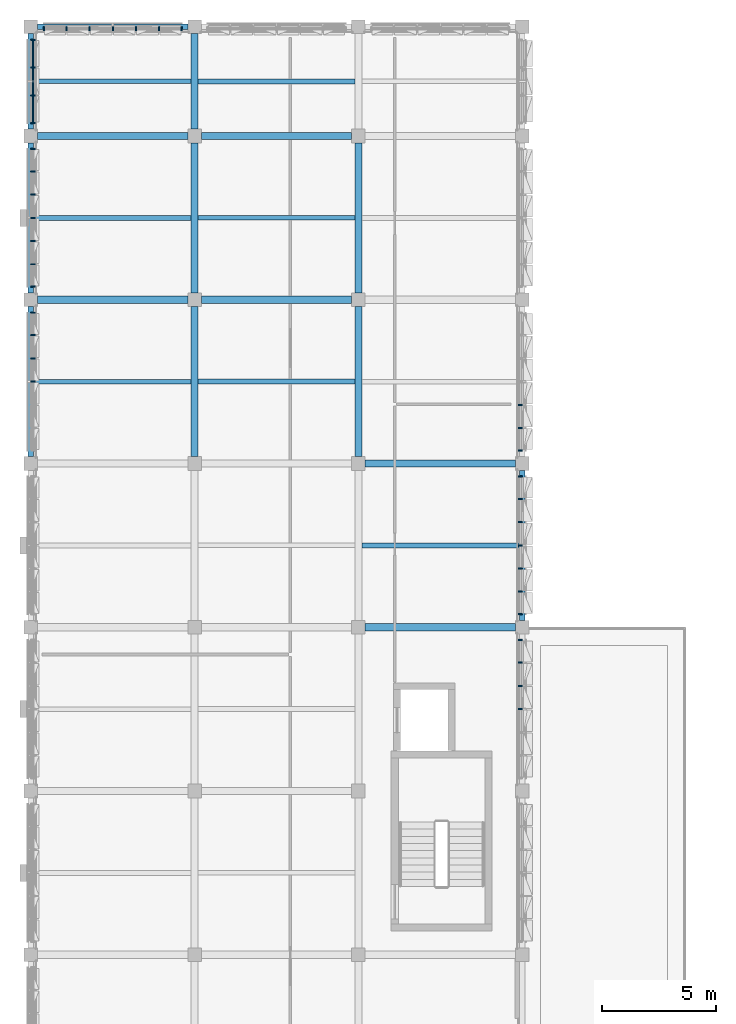
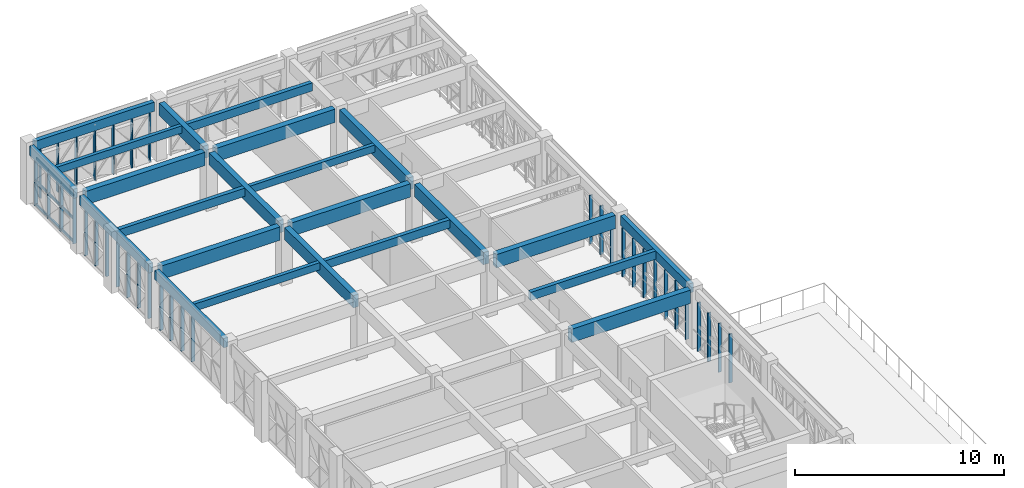
# One storey, part 16 of 99: 45 members, 23 beams, 7 elements without a shape of their own.
"""IFC4 building model written with IfcOpenShell, lengths in metres."""

from ifc_helpers import new_model, si_unit, direction, frame, origin, origin_2d, place, context, subcontext, project, spatial, rectangle, extrude, material, material_profile, profile_set, type_object, element, aggregate, save


model = new_model("IFC4")

# Units and contexts
model_context = context("Model", 3, precision=1e-05, world=origin(), true_north=direction((0.0, 1.0)))
body_context = subcontext(model_context, "Body", "Model", "MODEL_VIEW")
ifc_project = project(units=[si_unit("LENGTHUNIT", "METRE"), si_unit("AREAUNIT", "SQUARE_METRE"), si_unit("VOLUMEUNIT", "CUBIC_METRE"), si_unit("PLANEANGLEUNIT", "RADIAN"), si_unit("MASSUNIT", "GRAM", prefix="KILO")], contexts=[model_context])

# Site, building, storey
site_placement = place(None, origin())
site = spatial("IfcSite", under=ifc_project, at=site_placement, CompositionType="ELEMENT")
building_placement = place(site_placement, origin())
building = spatial("IfcBuilding", under=site, at=building_placement, Name="Alvorim Cloister Faculty of Sciences", CompositionType="ELEMENT")
storey_placement = place(building_placement, frame((0.0, 0.0, 12.14990234375)))
storey = spatial("IfcBuildingStorey", under=building, at=storey_placement, Name="L03", CompositionType="ELEMENT", Elevation=12.14990234375)

# Beams
ifc_material_1 = material(Name="Glulam GL32h", Category="wood")
ifc_material_profile_1 = material_profile(ifc_material_1, rectangle(XDim=0.300048828125, YDim=0.719970703125, at=origin_2d()), Name="GL32-BM-300x720")
ifc_profile_set_1 = profile_set([ifc_material_profile_1], Name="Glulam GL32h")
beam_type_1 = type_object("IfcBeamType", Name="BM-GL-300x720", PredefinedType="BEAM", material=ifc_profile_set_1)
for number, where, z_axis, x_axis, name in (
    (1, (7.199951171875, 92.699951171875, 3.030029296875), (0.0, 1.0, 0.0), (-1.0, 0.0, 0.0), "L03 Primary Girder BM-1599"),
    (2, (7.199951171875, 99.89990234375, 3.030029296875), (0.0, 1.0, 0.0), (-1.0, 0.0, 0.0), "L03 Primary Girder BM-1600"),
):
    element("IfcBeam", number, at=place(storey_placement, frame(where, z_axis=z_axis, x_axis=x_axis)), inside=storey, type_object=beam_type_1, Name=name, PredefinedType="BEAM", context=body_context, shape_type="SweptSolid", body=[
        extrude(rectangle(XDim=0.300048828125, YDim=0.719970703125, at=origin_2d()), origin(), (0.0, 0.0, 1.0), 6.60009765625),
    ])
beam_1_placement = place(storey_placement, frame((7.199951171875, 107.10009765625, 3.030029296875), z_axis=(0.0, 1.0, 0.0), x_axis=(-1.0, 0.0, 0.0)))
element("IfcBeam", 3, at=beam_1_placement, inside=storey, type_object=beam_type_1, Name="L03 Primary Girder BM-1601", PredefinedType="BEAM", context=body_context, shape_type="SweptSolid", body=[
    extrude(rectangle(XDim=0.300048828125, YDim=0.719970703125, at=origin_2d()), origin(), (0.0, 0.0, 1.0), 4.199951171875),
])
for number, where, z_axis, x_axis, name in (
    (4, (14.39990234375, 92.699951171875, 3.030029296875), (0.0, 1.0, 0.0), (-1.0, 0.0, 0.0), "L03 Primary Girder BM-1615"),
    (5, (14.39990234375, 99.89990234375, 3.030029296875), (0.0, 1.0, 0.0), (-1.0, 0.0, 0.0), "L03 Primary Girder BM-1616"),
):
    element("IfcBeam", number, at=place(storey_placement, frame(where, z_axis=z_axis, x_axis=x_axis)), inside=storey, type_object=beam_type_1, Name=name, PredefinedType="BEAM", context=body_context, shape_type="SweptSolid", body=[
        extrude(rectangle(XDim=0.300048828125, YDim=0.719970703125, at=origin_2d()), origin(), (0.0, 0.0, 1.0), 6.60009765625),
    ])
ifc_material_profile_2 = material_profile(ifc_material_1, rectangle(XDim=0.320068359375, YDim=0.780029296875, at=origin_2d()), Name="GL32-BM-320x780")
ifc_profile_set_2 = profile_set([ifc_material_profile_2], Name="Glulam GL32h")
beam_type_2 = type_object("IfcBeamType", Name="BM-GL-320x780", PredefinedType="BEAM", material=ifc_profile_set_2)
for number, where, z_axis, x_axis, name in (
    (6, (14.699951171875, 85.199951171875, 3.0), (1.0, 0.0, 0.0), (0.0, 1.0, 0.0), "L03 Primary Beam BM-1563"),
    (7, (14.699951171875, 92.39990234375, 3.0), (1.0, 0.0, 0.0), (0.0, 1.0, 0.0), "L03 Primary Beam BM-1566"),
):
    element("IfcBeam", number, at=place(storey_placement, frame(where, z_axis=z_axis, x_axis=x_axis)), inside=storey, type_object=beam_type_2, Name=name, PredefinedType="BEAM", context=body_context, shape_type="SweptSolid", body=[
        extrude(rectangle(XDim=0.320068359375, YDim=0.780029296875, at=origin_2d()), origin(), (0.0, 0.0, 1.0), 6.60009765625),
    ])
beam_2_placement = place(storey_placement, frame((0.300048828125, 99.60009765625, 3.0), z_axis=(1.0, 0.0, 0.0), x_axis=(0.0, 1.0, 0.0)))
element("IfcBeam", 8, at=beam_2_placement, inside=storey, type_object=beam_type_2, Name="L03 Primary Beam BM-1567", PredefinedType="BEAM", context=body_context, shape_type="SweptSolid", body=[
    extrude(rectangle(XDim=0.320068359375, YDim=0.780029296875, at=origin_2d()), origin(), (0.0, 0.0, 1.0), 6.599853515625),
])
beam_3_placement = place(storey_placement, frame((7.5, 99.60009765625, 3.0), z_axis=(1.0, 0.0, 0.0), x_axis=(0.0, 1.0, 0.0)))
element("IfcBeam", 9, at=beam_3_placement, inside=storey, type_object=beam_type_2, Name="L03 Primary Beam BM-1568", PredefinedType="BEAM", context=body_context, shape_type="SweptSolid", body=[
    extrude(rectangle(XDim=0.320068359375, YDim=0.780029296875, at=origin_2d()), origin(), (0.0, 0.0, 1.0), 6.60009765625),
])
beam_4_placement = place(storey_placement, frame((0.300048828125, 106.800048828125, 3.0), z_axis=(1.0, 0.0, 0.0), x_axis=(0.0, 1.0, 0.0)))
element("IfcBeam", 10, at=beam_4_placement, inside=storey, type_object=beam_type_2, Name="L03 Primary Beam BM-1570", PredefinedType="BEAM", context=body_context, shape_type="SweptSolid", body=[
    extrude(rectangle(XDim=0.320068359375, YDim=0.780029296875, at=origin_2d()), origin(), (0.0, 0.0, 1.0), 6.599853515625),
])
beam_5_placement = place(storey_placement, frame((7.5, 106.800048828125, 3.0), z_axis=(1.0, 0.0, 0.0), x_axis=(0.0, 1.0, 0.0)))
element("IfcBeam", 11, at=beam_5_placement, inside=storey, type_object=beam_type_2, Name="L03 Primary Beam BM-1571", PredefinedType="BEAM", context=body_context, shape_type="SweptSolid", body=[
    extrude(rectangle(XDim=0.320068359375, YDim=0.780029296875, at=origin_2d()), origin(), (0.0, 0.0, 1.0), 6.60009765625),
])
ifc_material_2 = material(Name="Glulam GL28h", Category="wood")
ifc_material_profile_3 = material_profile(ifc_material_2, rectangle(XDim=0.199951171875, YDim=0.419921875, at=origin_2d()), Name="GL28-JST-200x420")
ifc_profile_set_3 = profile_set([ifc_material_profile_3], Name="Glulam GL28h")
beam_type_3 = type_object("IfcBeamType", Name="BM-JST-GL-200x420", PredefinedType="JOIST", material=ifc_profile_set_3)
for number, where, z_axis, x_axis, name in (
    (12, (0.1201171875, 96.0, 3.18017578125), (1.0, 0.0, 0.0), (0.0, 1.0, 0.0), "L03 Secondary Floor Joist BM-1673"),
    (13, (0.1201171875, 109.199951171875, 3.18017578125), (1.0, 0.0, 0.0), (0.0, 1.0, 0.0), "L03 Secondary Floor Joist BM-1675"),
):
    element("IfcBeam", number, at=place(storey_placement, frame(where, z_axis=z_axis, x_axis=x_axis)), inside=storey, type_object=beam_type_3, Name=name, PredefinedType="JOIST", context=body_context, shape_type="SweptSolid", body=[
        extrude(rectangle(XDim=0.199951171875, YDim=0.419921875, at=origin_2d()), origin(), (0.0, 0.0, 1.0), 6.929931640625),
    ])
beam_6_placement = place(storey_placement, frame((7.35009765625, 103.199951171875, 3.18017578125), z_axis=(1.0, 0.0, 0.0), x_axis=(0.0, 1.0, 0.0)))
element("IfcBeam", 14, at=beam_6_placement, inside=storey, type_object=beam_type_3, Name="L03 Secondary Floor Joist BM-1690", PredefinedType="JOIST", context=body_context, shape_type="SweptSolid", body=[
    extrude(rectangle(XDim=0.199951171875, YDim=0.419921875, at=origin_2d()), origin(), (0.0, 0.0, 1.0), 6.89990234375),
])
ifc_material_profile_4 = material_profile(ifc_material_2, rectangle(XDim=0.219970703125, YDim=0.47998046875, at=origin_2d()), Name="GL28-JST-220x480")
ifc_profile_set_4 = profile_set([ifc_material_profile_4], Name="Glulam GL28h")
beam_type_4 = type_object("IfcBeamType", Name="BM-JST-GL-220x480", PredefinedType="JOIST", material=ifc_profile_set_4)
beam_7_placement = place(storey_placement, frame((0.1201171875, 103.199951171875, 3.150146484375), z_axis=(1.0, 0.0, 0.0), x_axis=(0.0, 1.0, 0.0)))
element("IfcBeam", 15, at=beam_7_placement, inside=storey, type_object=beam_type_4, Name="L03 Secondary Floor Joist BM-1674", PredefinedType="JOIST", context=body_context, shape_type="SweptSolid", body=[
    extrude(rectangle(XDim=0.219970703125, YDim=0.47998046875, at=origin_2d()), origin(), (0.0, 0.0, 1.0), 6.929931640625),
])
for number, where, z_axis, x_axis, name in (
    (16, (7.35009765625, 96.0, 3.150146484375), (1.0, 0.0, 0.0), (0.0, 1.0, 0.0), "L03 Secondary Floor Joist BM-1689"),
    (17, (7.35009765625, 109.199951171875, 3.150146484375), (1.0, 0.0, 0.0), (0.0, 1.0, 0.0), "L03 Secondary Floor Joist BM-1691"),
):
    element("IfcBeam", number, at=place(storey_placement, frame(where, z_axis=z_axis, x_axis=x_axis)), inside=storey, type_object=beam_type_4, Name=name, PredefinedType="JOIST", context=body_context, shape_type="SweptSolid", body=[
        extrude(rectangle(XDim=0.219970703125, YDim=0.47998046875, at=origin_2d()), origin(), (0.0, 0.0, 1.0), 6.89990234375),
    ])
beam_8_placement = place(storey_placement, frame((14.550048828125, 88.800048828125, 3.150146484375), z_axis=(1.0, 0.0, 0.0), x_axis=(0.0, 1.0, 0.0)))
element("IfcBeam", 18, at=beam_8_placement, inside=storey, type_object=beam_type_4, Name="L03 Secondary Floor Joist BM-1696", PredefinedType="JOIST", context=body_context, shape_type="SweptSolid", body=[
    extrude(rectangle(XDim=0.219970703125, YDim=0.47998046875, at=origin_2d()), origin(), (0.0, 0.0, 1.0), 6.929931640625),
])
ifc_material_profile_5 = material_profile(ifc_material_2, rectangle(XDim=0.239990234375, YDim=0.5400390625, at=origin_2d()), Name="GL28-SPD-240x540")
ifc_profile_set_5 = profile_set([ifc_material_profile_5], Name="Glulam GL28h")
beam_type_5 = type_object("IfcBeamType", Name="BM-SPD-GL-240x540", PredefinedType="SPANDREL", material=ifc_profile_set_5)
beam_9_placement = place(storey_placement, frame((0.300048828125, 111.60009765625, 3.1201171875), z_axis=(1.0, 0.0, 0.0), x_axis=(0.0, 1.0, 0.0)))
element("IfcBeam", 19, at=beam_9_placement, inside=storey, type_object=beam_type_5, Name="L03 Primary Beam BM-1573", PredefinedType="SPANDREL", context=body_context, shape_type="SweptSolid", body=[
    extrude(rectangle(XDim=0.239990234375, YDim=0.5400390625, at=origin_2d()), origin(), (0.0, 0.0, 1.0), 6.599853515625),
])
for number, where, z_axis, x_axis, name in (
    (20, (0.0, 92.699951171875, 3.1201171875), (0.0, 1.0, 0.0), (-1.0, 0.0, 0.0), "L03 Primary Girder BM-1583"),
    (21, (0.0, 99.89990234375, 3.1201171875), (0.0, 1.0, 0.0), (-1.0, 0.0, 0.0), "L03 Primary Girder BM-1584"),
):
    element("IfcBeam", number, at=place(storey_placement, frame(where, z_axis=z_axis, x_axis=x_axis)), inside=storey, type_object=beam_type_5, Name=name, PredefinedType="SPANDREL", context=body_context, shape_type="SweptSolid", body=[
        extrude(rectangle(XDim=0.239990234375, YDim=0.5400390625, at=origin_2d()), origin(), (0.0, 0.0, 1.0), 6.60009765625),
    ])
beam_10_placement = place(storey_placement, frame((0.0, 107.10009765625, 3.1201171875), z_axis=(0.0, 1.0, 0.0), x_axis=(-1.0, 0.0, 0.0)))
element("IfcBeam", 22, at=beam_10_placement, inside=storey, type_object=beam_type_5, Name="L03 Primary Girder BM-1585", PredefinedType="SPANDREL", context=body_context, shape_type="SweptSolid", body=[
    extrude(rectangle(XDim=0.239990234375, YDim=0.5400390625, at=origin_2d()), origin(), (0.0, 0.0, 1.0), 4.199951171875),
])
beam_11_placement = place(storey_placement, frame((21.60009765625, 85.5, 3.1201171875), z_axis=(0.0, 1.0, 0.0), x_axis=(-1.0, 0.0, 0.0)))
element("IfcBeam", 23, at=beam_11_placement, inside=storey, type_object=beam_type_5, Name="L03 Primary Girder BM-1630", PredefinedType="SPANDREL", context=body_context, shape_type="SweptSolid", body=[
    extrude(rectangle(XDim=0.239990234375, YDim=0.5400390625, at=origin_2d()), origin(), (0.0, 0.0, 1.0), 6.60009765625),
])

# Curtain wall, members
ifc_material_3 = material(Name="Aluminium and Low-E Glass Curtain Wall", Category="aluminium")
curtain_wall_type_1 = type_object("IfcCurtainWallType", Name="CW-TRI-6120x2850", PredefinedType="USERDEFINED", material=ifc_material_3)
curtain_wall_1_placement = place(storey_placement, origin())
curtain_wall_1 = element("IfcCurtainWall", 24, at=curtain_wall_1_placement, inside=storey, type_object=curtain_wall_type_1, Name="L03 Diagonal Cassette Curtain Wall CW-0111", ObjectType="UNITISED CURTAIN WALL", PredefinedType="USERDEFINED")
ifc_material_4 = material(Name="Aluminium Alloy 6063-T6", Category="aluminium")
ifc_material_profile_6 = material_profile(ifc_material_4, rectangle(XDim=0.06494140625, YDim=0.179931640625, at=origin_2d()), Name="ALU-MUL-65x180")
ifc_profile_set_6 = profile_set([ifc_material_profile_6], Name="Aluminium Alloy 6063-T6")
member_type_1 = type_object("IfcMemberType", Name="CW-MUL-65x180", PredefinedType="MULLION", material=ifc_profile_set_6)
member_1_placement = place(storey_placement, frame((0.090087890625, 96.0, 0.0), z_axis=(0.0, 0.0, 1.0), x_axis=(0.0, 1.0, 0.0)))
member_1 = element("IfcMember", 25, at=member_1_placement, type_object=member_type_1, Name="CW-0111 Mullion 4", PredefinedType="MULLION", context=body_context, shape_type="SweptSolid", body=[
    extrude(rectangle(XDim=0.06494140625, YDim=0.179931640625, at=origin_2d()), origin(), (0.0, 0.0, 1.0), 2.85009765625),
])
member_2_placement = place(storey_placement, frame((0.090087890625, 97.02001953125, 0.0), z_axis=(0.0, 0.0, 1.0), x_axis=(0.0, 1.0, 0.0)))
member_2 = element("IfcMember", 26, at=member_2_placement, type_object=member_type_1, Name="CW-0111 Mullion 5", PredefinedType="MULLION", context=body_context, shape_type="SweptSolid", body=[
    extrude(rectangle(XDim=0.06494140625, YDim=0.179931640625, at=origin_2d()), origin(), (0.0, 0.0, 1.0), 2.85009765625),
])
member_3_placement = place(storey_placement, frame((0.090087890625, 98.0400390625, 0.0), z_axis=(0.0, 0.0, 1.0), x_axis=(0.0, 1.0, 0.0)))
member_3 = element("IfcMember", 27, at=member_3_placement, type_object=member_type_1, Name="CW-0111 Mullion 6", PredefinedType="MULLION", context=body_context, shape_type="SweptSolid", body=[
    extrude(rectangle(XDim=0.06494140625, YDim=0.179931640625, at=origin_2d()), origin(), (0.0, 0.0, 1.0), 2.85009765625),
])
member_4_placement = place(storey_placement, frame((0.090087890625, 99.027587890625, 0.0), z_axis=(0.0, 0.0, 1.0), x_axis=(0.0, 1.0, 0.0)))
member_4 = element("IfcMember", 28, at=member_4_placement, type_object=member_type_1, Name="CW-0111 Mullion 7", PredefinedType="MULLION", context=body_context, shape_type="SweptSolid", body=[
    extrude(rectangle(XDim=0.06494140625, YDim=0.179931640625, at=origin_2d()), origin(), (0.0, 0.0, 1.0), 2.85009765625),
])
aggregate(curtain_wall_1, [member_1, member_2, member_3, member_4])

curtain_wall_2_placement = place(storey_placement, origin())
curtain_wall_2 = element("IfcCurtainWall", 29, at=curtain_wall_2_placement, inside=storey, type_object=curtain_wall_type_1, Name="L03 Diagonal Cassette Curtain Wall CW-0112", ObjectType="UNITISED CURTAIN WALL", PredefinedType="USERDEFINED")
member_5_placement = place(storey_placement, frame((0.090087890625, 100.172607421875, 0.0), z_axis=(0.0, 0.0, 1.0), x_axis=(0.0, 1.0, 0.0)))
member_5 = element("IfcMember", 30, at=member_5_placement, type_object=member_type_1, Name="CW-0112 Mullion 1", PredefinedType="MULLION", context=body_context, shape_type="SweptSolid", body=[
    extrude(rectangle(XDim=0.06494140625, YDim=0.179931640625, at=origin_2d()), origin(), (0.0, 0.0, 1.0), 2.85009765625),
])
member_6_placement = place(storey_placement, frame((0.090087890625, 101.159912109375, 0.0), z_axis=(0.0, 0.0, 1.0), x_axis=(0.0, 1.0, 0.0)))
member_6 = element("IfcMember", 31, at=member_6_placement, type_object=member_type_1, Name="CW-0112 Mullion 2", PredefinedType="MULLION", context=body_context, shape_type="SweptSolid", body=[
    extrude(rectangle(XDim=0.06494140625, YDim=0.179931640625, at=origin_2d()), origin(), (0.0, 0.0, 1.0), 2.85009765625),
])
member_7_placement = place(storey_placement, frame((0.090087890625, 102.179931640625, 0.0), z_axis=(0.0, 0.0, 1.0), x_axis=(0.0, 1.0, 0.0)))
member_7 = element("IfcMember", 32, at=member_7_placement, type_object=member_type_1, Name="CW-0112 Mullion 3", PredefinedType="MULLION", context=body_context, shape_type="SweptSolid", body=[
    extrude(rectangle(XDim=0.06494140625, YDim=0.179931640625, at=origin_2d()), origin(), (0.0, 0.0, 1.0), 2.85009765625),
])
member_8_placement = place(storey_placement, frame((0.090087890625, 103.199951171875, 0.0), z_axis=(0.0, 0.0, 1.0), x_axis=(0.0, 1.0, 0.0)))
member_8 = element("IfcMember", 33, at=member_8_placement, type_object=member_type_1, Name="CW-0112 Mullion 4", PredefinedType="MULLION", context=body_context, shape_type="SweptSolid", body=[
    extrude(rectangle(XDim=0.06494140625, YDim=0.179931640625, at=origin_2d()), origin(), (0.0, 0.0, 1.0), 2.85009765625),
])
member_9_placement = place(storey_placement, frame((0.090087890625, 104.219970703125, 0.0), z_axis=(0.0, 0.0, 1.0), x_axis=(0.0, 1.0, 0.0)))
member_9 = element("IfcMember", 34, at=member_9_placement, type_object=member_type_1, Name="CW-0112 Mullion 5", PredefinedType="MULLION", context=body_context, shape_type="SweptSolid", body=[
    extrude(rectangle(XDim=0.06494140625, YDim=0.179931640625, at=origin_2d()), origin(), (0.0, 0.0, 1.0), 2.85009765625),
])
member_10_placement = place(storey_placement, frame((0.090087890625, 105.239990234375, 0.0), z_axis=(0.0, 0.0, 1.0), x_axis=(0.0, 1.0, 0.0)))
member_10 = element("IfcMember", 35, at=member_10_placement, type_object=member_type_1, Name="CW-0112 Mullion 6", PredefinedType="MULLION", context=body_context, shape_type="SweptSolid", body=[
    extrude(rectangle(XDim=0.06494140625, YDim=0.179931640625, at=origin_2d()), origin(), (0.0, 0.0, 1.0), 2.85009765625),
])
member_11_placement = place(storey_placement, frame((0.090087890625, 106.2275390625, 0.0), z_axis=(0.0, 0.0, 1.0), x_axis=(0.0, 1.0, 0.0)))
member_11 = element("IfcMember", 36, at=member_11_placement, type_object=member_type_1, Name="CW-0112 Mullion 7", PredefinedType="MULLION", context=body_context, shape_type="SweptSolid", body=[
    extrude(rectangle(XDim=0.06494140625, YDim=0.179931640625, at=origin_2d()), origin(), (0.0, 0.0, 1.0), 2.85009765625),
])
aggregate(curtain_wall_2, [member_5, member_6, member_7, member_8, member_9, member_10, member_11])

curtain_wall_type_2 = type_object("IfcCurtainWallType", Name="CW-TRI-3720x2850", PredefinedType="USERDEFINED", material=ifc_material_3)
curtain_wall_3_placement = place(storey_placement, origin())
curtain_wall_3 = element("IfcCurtainWall", 37, at=curtain_wall_3_placement, inside=storey, type_object=curtain_wall_type_2, Name="L03 Diagonal Cassette Curtain Wall CW-0113", ObjectType="UNITISED CURTAIN WALL", PredefinedType="USERDEFINED")
member_12_placement = place(storey_placement, frame((0.090087890625, 107.37255859375, 0.0), z_axis=(0.0, 0.0, 1.0), x_axis=(0.0, 1.0, 0.0)))
member_12 = element("IfcMember", 38, at=member_12_placement, type_object=member_type_1, Name="CW-0113 Mullion 1", PredefinedType="MULLION", context=body_context, shape_type="SweptSolid", body=[
    extrude(rectangle(XDim=0.06494140625, YDim=0.179931640625, at=origin_2d()), origin(), (0.0, 0.0, 1.0), 2.85009765625),
])
member_13_placement = place(storey_placement, frame((0.090087890625, 108.580078125, 0.0), z_axis=(0.0, 0.0, 1.0), x_axis=(0.0, 1.0, 0.0)))
member_13 = element("IfcMember", 39, at=member_13_placement, type_object=member_type_1, Name="CW-0113 Mullion 2", PredefinedType="MULLION", context=body_context, shape_type="SweptSolid", body=[
    extrude(rectangle(XDim=0.06494140625, YDim=0.179931640625, at=origin_2d()), origin(), (0.0, 0.0, 1.0), 2.85009765625),
])
member_14_placement = place(storey_placement, frame((0.090087890625, 109.820068359375, 0.0), z_axis=(0.0, 0.0, 1.0), x_axis=(0.0, 1.0, 0.0)))
member_14 = element("IfcMember", 40, at=member_14_placement, type_object=member_type_1, Name="CW-0113 Mullion 3", PredefinedType="MULLION", context=body_context, shape_type="SweptSolid", body=[
    extrude(rectangle(XDim=0.06494140625, YDim=0.179931640625, at=origin_2d()), origin(), (0.0, 0.0, 1.0), 2.85009765625),
])
member_15_placement = place(storey_placement, frame((0.090087890625, 111.027587890625, 0.0), z_axis=(0.0, 0.0, 1.0), x_axis=(0.0, 1.0, 0.0)))
member_15 = element("IfcMember", 41, at=member_15_placement, type_object=member_type_1, Name="CW-0113 Mullion 4", PredefinedType="MULLION", context=body_context, shape_type="SweptSolid", body=[
    extrude(rectangle(XDim=0.06494140625, YDim=0.179931640625, at=origin_2d()), origin(), (0.0, 0.0, 1.0), 2.85009765625),
])

curtain_wall_4_placement = place(storey_placement, origin())
curtain_wall_4 = element("IfcCurtainWall", 42, at=curtain_wall_4_placement, inside=storey, type_object=curtain_wall_type_1, Name="L03 Diagonal Cassette Curtain Wall CW-0114", ObjectType="UNITISED CURTAIN WALL", PredefinedType="USERDEFINED")
member_16_placement = place(storey_placement, frame((0.572509765625, 111.510009765625, 0.0), z_axis=(0.0, 0.0, 1.0), x_axis=(1.0, 0.0, 0.0)))
member_16 = element("IfcMember", 43, at=member_16_placement, type_object=member_type_1, Name="CW-0114 Mullion 1", PredefinedType="MULLION", context=body_context, shape_type="SweptSolid", body=[
    extrude(rectangle(XDim=0.06494140625, YDim=0.179931640625, at=origin_2d()), origin(), (0.0, 0.0, 1.0), 2.85009765625),
])
member_17_placement = place(storey_placement, frame((1.56005859375, 111.510009765625, 0.0), z_axis=(0.0, 0.0, 1.0), x_axis=(1.0, 0.0, 0.0)))
member_17 = element("IfcMember", 44, at=member_17_placement, type_object=member_type_1, Name="CW-0114 Mullion 2", PredefinedType="MULLION", context=body_context, shape_type="SweptSolid", body=[
    extrude(rectangle(XDim=0.06494140625, YDim=0.179931640625, at=origin_2d()), origin(), (0.0, 0.0, 1.0), 2.85009765625),
])
member_18_placement = place(storey_placement, frame((2.580078125, 111.510009765625, 0.0), z_axis=(0.0, 0.0, 1.0), x_axis=(1.0, 0.0, 0.0)))
member_18 = element("IfcMember", 45, at=member_18_placement, type_object=member_type_1, Name="CW-0114 Mullion 3", PredefinedType="MULLION", context=body_context, shape_type="SweptSolid", body=[
    extrude(rectangle(XDim=0.06494140625, YDim=0.179931640625, at=origin_2d()), origin(), (0.0, 0.0, 1.0), 2.85009765625),
])
member_19_placement = place(storey_placement, frame((3.60009765625, 111.510009765625, 0.0), z_axis=(0.0, 0.0, 1.0), x_axis=(1.0, 0.0, 0.0)))
member_19 = element("IfcMember", 46, at=member_19_placement, type_object=member_type_1, Name="CW-0114 Mullion 4", PredefinedType="MULLION", context=body_context, shape_type="SweptSolid", body=[
    extrude(rectangle(XDim=0.06494140625, YDim=0.179931640625, at=origin_2d()), origin(), (0.0, 0.0, 1.0), 2.85009765625),
])
member_20_placement = place(storey_placement, frame((4.6201171875, 111.510009765625, 0.0), z_axis=(0.0, 0.0, 1.0), x_axis=(1.0, 0.0, 0.0)))
member_20 = element("IfcMember", 47, at=member_20_placement, type_object=member_type_1, Name="CW-0114 Mullion 5", PredefinedType="MULLION", context=body_context, shape_type="SweptSolid", body=[
    extrude(rectangle(XDim=0.06494140625, YDim=0.179931640625, at=origin_2d()), origin(), (0.0, 0.0, 1.0), 2.85009765625),
])
member_21_placement = place(storey_placement, frame((5.639892578125, 111.510009765625, 0.0), z_axis=(0.0, 0.0, 1.0), x_axis=(1.0, 0.0, 0.0)))
member_21 = element("IfcMember", 48, at=member_21_placement, type_object=member_type_1, Name="CW-0114 Mullion 6", PredefinedType="MULLION", context=body_context, shape_type="SweptSolid", body=[
    extrude(rectangle(XDim=0.06494140625, YDim=0.179931640625, at=origin_2d()), origin(), (0.0, 0.0, 1.0), 2.85009765625),
])
member_22_placement = place(storey_placement, frame((6.62744140625, 111.510009765625, 0.0), z_axis=(0.0, 0.0, 1.0), x_axis=(1.0, 0.0, 0.0)))
member_22 = element("IfcMember", 49, at=member_22_placement, type_object=member_type_1, Name="CW-0114 Mullion 7", PredefinedType="MULLION", context=body_context, shape_type="SweptSolid", body=[
    extrude(rectangle(XDim=0.06494140625, YDim=0.179931640625, at=origin_2d()), origin(), (0.0, 0.0, 1.0), 2.85009765625),
])
aggregate(curtain_wall_4, [member_16, member_17, member_18, member_19, member_20, member_21, member_22])

curtain_wall_5_placement = place(storey_placement, origin())
curtain_wall_5 = element("IfcCurtainWall", 50, at=curtain_wall_5_placement, inside=storey, type_object=curtain_wall_type_1, Name="L03 Diagonal Cassette Curtain Wall CW-0119", ObjectType="UNITISED CURTAIN WALL", PredefinedType="USERDEFINED")
member_23_placement = place(storey_placement, frame((21.510009765625, 92.972412109375, 0.0), z_axis=(0.0, 0.0, 1.0), x_axis=(0.0, 1.0, 0.0)))
member_23 = element("IfcMember", 51, at=member_23_placement, type_object=member_type_1, Name="CW-0119 Mullion 1", PredefinedType="MULLION", context=body_context, shape_type="SweptSolid", body=[
    extrude(rectangle(XDim=0.06494140625, YDim=0.179931640625, at=origin_2d()), origin(), (0.0, 0.0, 1.0), 2.85009765625),
])
member_24_placement = place(storey_placement, frame((21.510009765625, 93.9599609375, 0.0), z_axis=(0.0, 0.0, 1.0), x_axis=(0.0, 1.0, 0.0)))
member_24 = element("IfcMember", 52, at=member_24_placement, type_object=member_type_1, Name="CW-0119 Mullion 2", PredefinedType="MULLION", context=body_context, shape_type="SweptSolid", body=[
    extrude(rectangle(XDim=0.06494140625, YDim=0.179931640625, at=origin_2d()), origin(), (0.0, 0.0, 1.0), 2.85009765625),
])
member_25_placement = place(storey_placement, frame((21.510009765625, 94.97998046875, 0.0), z_axis=(0.0, 0.0, 1.0), x_axis=(0.0, 1.0, 0.0)))
member_25 = element("IfcMember", 53, at=member_25_placement, type_object=member_type_1, Name="CW-0119 Mullion 3", PredefinedType="MULLION", context=body_context, shape_type="SweptSolid", body=[
    extrude(rectangle(XDim=0.06494140625, YDim=0.179931640625, at=origin_2d()), origin(), (0.0, 0.0, 1.0), 2.85009765625),
])
aggregate(curtain_wall_5, [member_23, member_24, member_25])

curtain_wall_6_placement = place(storey_placement, origin())
curtain_wall_6 = element("IfcCurtainWall", 54, at=curtain_wall_6_placement, inside=storey, type_object=curtain_wall_type_1, Name="L03 Diagonal Cassette Curtain Wall CW-0120", ObjectType="UNITISED CURTAIN WALL", PredefinedType="USERDEFINED")
member_26_placement = place(storey_placement, frame((21.510009765625, 85.7724609375, 0.0), z_axis=(0.0, 0.0, 1.0), x_axis=(0.0, 1.0, 0.0)))
member_26 = element("IfcMember", 55, at=member_26_placement, type_object=member_type_1, Name="CW-0120 Mullion 1", PredefinedType="MULLION", context=body_context, shape_type="SweptSolid", body=[
    extrude(rectangle(XDim=0.06494140625, YDim=0.179931640625, at=origin_2d()), origin(), (0.0, 0.0, 1.0), 2.85009765625),
])
member_27_placement = place(storey_placement, frame((21.510009765625, 86.760009765625, 0.0), z_axis=(0.0, 0.0, 1.0), x_axis=(0.0, 1.0, 0.0)))
member_27 = element("IfcMember", 56, at=member_27_placement, type_object=member_type_1, Name="CW-0120 Mullion 2", PredefinedType="MULLION", context=body_context, shape_type="SweptSolid", body=[
    extrude(rectangle(XDim=0.06494140625, YDim=0.179931640625, at=origin_2d()), origin(), (0.0, 0.0, 1.0), 2.85009765625),
])
member_28_placement = place(storey_placement, frame((21.510009765625, 87.780029296875, 0.0), z_axis=(0.0, 0.0, 1.0), x_axis=(0.0, 1.0, 0.0)))
member_28 = element("IfcMember", 57, at=member_28_placement, type_object=member_type_1, Name="CW-0120 Mullion 3", PredefinedType="MULLION", context=body_context, shape_type="SweptSolid", body=[
    extrude(rectangle(XDim=0.06494140625, YDim=0.179931640625, at=origin_2d()), origin(), (0.0, 0.0, 1.0), 2.85009765625),
])
member_29_placement = place(storey_placement, frame((21.510009765625, 88.800048828125, 0.0), z_axis=(0.0, 0.0, 1.0), x_axis=(0.0, 1.0, 0.0)))
member_29 = element("IfcMember", 58, at=member_29_placement, type_object=member_type_1, Name="CW-0120 Mullion 4", PredefinedType="MULLION", context=body_context, shape_type="SweptSolid", body=[
    extrude(rectangle(XDim=0.06494140625, YDim=0.179931640625, at=origin_2d()), origin(), (0.0, 0.0, 1.0), 2.85009765625),
])
member_30_placement = place(storey_placement, frame((21.510009765625, 89.820068359375, 0.0), z_axis=(0.0, 0.0, 1.0), x_axis=(0.0, 1.0, 0.0)))
member_30 = element("IfcMember", 59, at=member_30_placement, type_object=member_type_1, Name="CW-0120 Mullion 5", PredefinedType="MULLION", context=body_context, shape_type="SweptSolid", body=[
    extrude(rectangle(XDim=0.06494140625, YDim=0.179931640625, at=origin_2d()), origin(), (0.0, 0.0, 1.0), 2.85009765625),
])
member_31_placement = place(storey_placement, frame((21.510009765625, 90.840087890625, 0.0), z_axis=(0.0, 0.0, 1.0), x_axis=(0.0, 1.0, 0.0)))
member_31 = element("IfcMember", 60, at=member_31_placement, type_object=member_type_1, Name="CW-0120 Mullion 6", PredefinedType="MULLION", context=body_context, shape_type="SweptSolid", body=[
    extrude(rectangle(XDim=0.06494140625, YDim=0.179931640625, at=origin_2d()), origin(), (0.0, 0.0, 1.0), 2.85009765625),
])
member_32_placement = place(storey_placement, frame((21.510009765625, 91.827392578125, 0.0), z_axis=(0.0, 0.0, 1.0), x_axis=(0.0, 1.0, 0.0)))
member_32 = element("IfcMember", 61, at=member_32_placement, type_object=member_type_1, Name="CW-0120 Mullion 7", PredefinedType="MULLION", context=body_context, shape_type="SweptSolid", body=[
    extrude(rectangle(XDim=0.06494140625, YDim=0.179931640625, at=origin_2d()), origin(), (0.0, 0.0, 1.0), 2.85009765625),
])
aggregate(curtain_wall_6, [member_26, member_27, member_28, member_29, member_30, member_31, member_32])

curtain_wall_7_placement = place(storey_placement, origin())
curtain_wall_7 = element("IfcCurtainWall", 62, at=curtain_wall_7_placement, inside=storey, type_object=curtain_wall_type_1, Name="L03 Diagonal Cassette Curtain Wall CW-0121", ObjectType="UNITISED CURTAIN WALL", PredefinedType="USERDEFINED")
member_33_placement = place(storey_placement, frame((21.510009765625, 81.60009765625, 0.0), z_axis=(0.0, 0.0, 1.0), x_axis=(0.0, 1.0, 0.0)))
member_33 = element("IfcMember", 63, at=member_33_placement, type_object=member_type_1, Name="CW-0121 Mullion 4", PredefinedType="MULLION", context=body_context, shape_type="SweptSolid", body=[
    extrude(rectangle(XDim=0.06494140625, YDim=0.179931640625, at=origin_2d()), origin(), (0.0, 0.0, 1.0), 2.85009765625),
])
member_34_placement = place(storey_placement, frame((21.510009765625, 82.6201171875, 0.0), z_axis=(0.0, 0.0, 1.0), x_axis=(0.0, 1.0, 0.0)))
member_34 = element("IfcMember", 64, at=member_34_placement, type_object=member_type_1, Name="CW-0121 Mullion 5", PredefinedType="MULLION", context=body_context, shape_type="SweptSolid", body=[
    extrude(rectangle(XDim=0.06494140625, YDim=0.179931640625, at=origin_2d()), origin(), (0.0, 0.0, 1.0), 2.85009765625),
])
member_35_placement = place(storey_placement, frame((21.510009765625, 83.639892578125, 0.0), z_axis=(0.0, 0.0, 1.0), x_axis=(0.0, 1.0, 0.0)))
member_35 = element("IfcMember", 65, at=member_35_placement, type_object=member_type_1, Name="CW-0121 Mullion 6", PredefinedType="MULLION", context=body_context, shape_type="SweptSolid", body=[
    extrude(rectangle(XDim=0.06494140625, YDim=0.179931640625, at=origin_2d()), origin(), (0.0, 0.0, 1.0), 2.85009765625),
])
member_36_placement = place(storey_placement, frame((21.510009765625, 84.62744140625, 0.0), z_axis=(0.0, 0.0, 1.0), x_axis=(0.0, 1.0, 0.0)))
member_36 = element("IfcMember", 66, at=member_36_placement, type_object=member_type_1, Name="CW-0121 Mullion 7", PredefinedType="MULLION", context=body_context, shape_type="SweptSolid", body=[
    extrude(rectangle(XDim=0.06494140625, YDim=0.179931640625, at=origin_2d()), origin(), (0.0, 0.0, 1.0), 2.85009765625),
])
aggregate(curtain_wall_7, [member_33, member_34, member_35, member_36])

# Member
ifc_material_profile_7 = material_profile(ifc_material_4, rectangle(XDim=0.06494140625, YDim=0.139892578125, at=origin_2d()), Name="ALU-TRN-65x140")
ifc_profile_set_7 = profile_set([ifc_material_profile_7], Name="Aluminium Alloy 6063-T6")
member_type_2 = type_object("IfcMemberType", Name="CW-TRN-65x140", PredefinedType="USERDEFINED", material=ifc_profile_set_7)
member_37_placement = place(storey_placement, frame((0.090087890625, 107.405029296875, 0.070068359375), z_axis=(0.0, 1.0, 0.0), x_axis=(-1.0, 0.0, 0.0)))
member_37 = element("IfcMember", 67, at=member_37_placement, type_object=member_type_2, Name="CW-0113 Transom 1.1", ObjectType="TRANSOM", PredefinedType="USERDEFINED", context=body_context, shape_type="SweptSolid", body=[
    extrude(rectangle(XDim=0.06494140625, YDim=0.139892578125, at=origin_2d()), origin(), (0.0, 0.0, 1.0), 1.142578125),
])

member_38_placement = place(storey_placement, frame((0.090087890625, 107.405029296875, 1.425048828125), z_axis=(0.0, 1.0, 0.0), x_axis=(-1.0, 0.0, 0.0)))
member_38 = element("IfcMember", 68, at=member_38_placement, type_object=member_type_2, Name="CW-0113 Transom 1.2", ObjectType="TRANSOM", PredefinedType="USERDEFINED", context=body_context, shape_type="SweptSolid", body=[
    extrude(rectangle(XDim=0.06494140625, YDim=0.139892578125, at=origin_2d()), origin(), (0.0, 0.0, 1.0), 1.142578125),
])

member_39_placement = place(storey_placement, frame((0.090087890625, 107.405029296875, 2.780029296875), z_axis=(0.0, 1.0, 0.0), x_axis=(-1.0, 0.0, 0.0)))
member_39 = element("IfcMember", 69, at=member_39_placement, type_object=member_type_2, Name="CW-0113 Transom 1.3", ObjectType="TRANSOM", PredefinedType="USERDEFINED", context=body_context, shape_type="SweptSolid", body=[
    extrude(rectangle(XDim=0.06494140625, YDim=0.139892578125, at=origin_2d()), origin(), (0.0, 0.0, 1.0), 1.142578125),
])

member_40_placement = place(storey_placement, frame((0.090087890625, 108.612548828125, 0.070068359375), z_axis=(0.0, 1.0, 0.0), x_axis=(-1.0, 0.0, 0.0)))
member_40 = element("IfcMember", 70, at=member_40_placement, type_object=member_type_2, Name="CW-0113 Transom 2.1", ObjectType="TRANSOM", PredefinedType="USERDEFINED", context=body_context, shape_type="SweptSolid", body=[
    extrude(rectangle(XDim=0.06494140625, YDim=0.139892578125, at=origin_2d()), origin(), (0.0, 0.0, 1.0), 1.175048828125),
])

member_41_placement = place(storey_placement, frame((0.090087890625, 108.612548828125, 1.425048828125), z_axis=(0.0, 1.0, 0.0), x_axis=(-1.0, 0.0, 0.0)))
member_41 = element("IfcMember", 71, at=member_41_placement, type_object=member_type_2, Name="CW-0113 Transom 2.2", ObjectType="TRANSOM", PredefinedType="USERDEFINED", context=body_context, shape_type="SweptSolid", body=[
    extrude(rectangle(XDim=0.06494140625, YDim=0.139892578125, at=origin_2d()), origin(), (0.0, 0.0, 1.0), 1.175048828125),
])

member_42_placement = place(storey_placement, frame((0.090087890625, 108.612548828125, 2.780029296875), z_axis=(0.0, 1.0, 0.0), x_axis=(-1.0, 0.0, 0.0)))
member_42 = element("IfcMember", 72, at=member_42_placement, type_object=member_type_2, Name="CW-0113 Transom 2.3", ObjectType="TRANSOM", PredefinedType="USERDEFINED", context=body_context, shape_type="SweptSolid", body=[
    extrude(rectangle(XDim=0.06494140625, YDim=0.139892578125, at=origin_2d()), origin(), (0.0, 0.0, 1.0), 1.175048828125),
])

member_43_placement = place(storey_placement, frame((0.090087890625, 109.8525390625, 0.070068359375), z_axis=(0.0, 1.0, 0.0), x_axis=(-1.0, 0.0, 0.0)))
member_43 = element("IfcMember", 73, at=member_43_placement, type_object=member_type_2, Name="CW-0113 Transom 3.1", ObjectType="TRANSOM", PredefinedType="USERDEFINED", context=body_context, shape_type="SweptSolid", body=[
    extrude(rectangle(XDim=0.06494140625, YDim=0.139892578125, at=origin_2d()), origin(), (0.0, 0.0, 1.0), 1.142578125),
])

member_44_placement = place(storey_placement, frame((0.090087890625, 109.8525390625, 1.425048828125), z_axis=(0.0, 1.0, 0.0), x_axis=(-1.0, 0.0, 0.0)))
member_44 = element("IfcMember", 74, at=member_44_placement, type_object=member_type_2, Name="CW-0113 Transom 3.2", ObjectType="TRANSOM", PredefinedType="USERDEFINED", context=body_context, shape_type="SweptSolid", body=[
    extrude(rectangle(XDim=0.06494140625, YDim=0.139892578125, at=origin_2d()), origin(), (0.0, 0.0, 1.0), 1.142578125),
])

member_45_placement = place(storey_placement, frame((0.090087890625, 109.8525390625, 2.780029296875), z_axis=(0.0, 1.0, 0.0), x_axis=(-1.0, 0.0, 0.0)))
member_45 = element("IfcMember", 75, at=member_45_placement, type_object=member_type_2, Name="CW-0113 Transom 3.3", ObjectType="TRANSOM", PredefinedType="USERDEFINED", context=body_context, shape_type="SweptSolid", body=[
    extrude(rectangle(XDim=0.06494140625, YDim=0.139892578125, at=origin_2d()), origin(), (0.0, 0.0, 1.0), 1.142578125),
])

aggregate(curtain_wall_3, [member_12, member_13, member_14, member_15, member_37, member_38, member_39, member_40, member_41, member_42, member_43, member_44, member_45])

save(model, "model.ifc")
